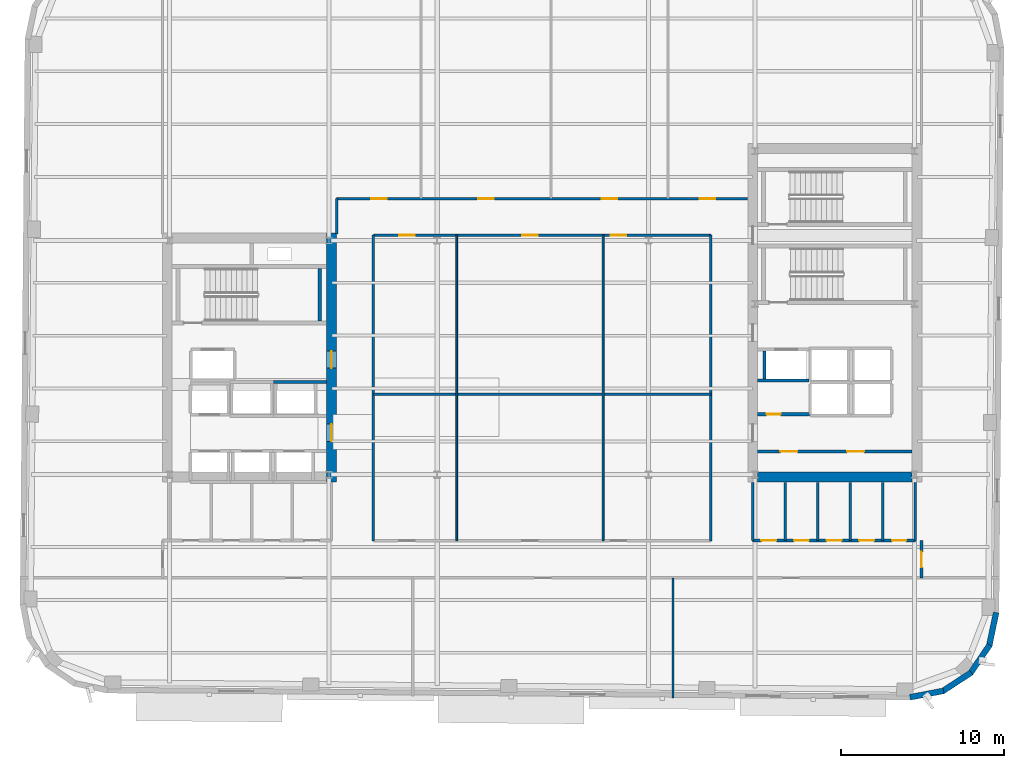
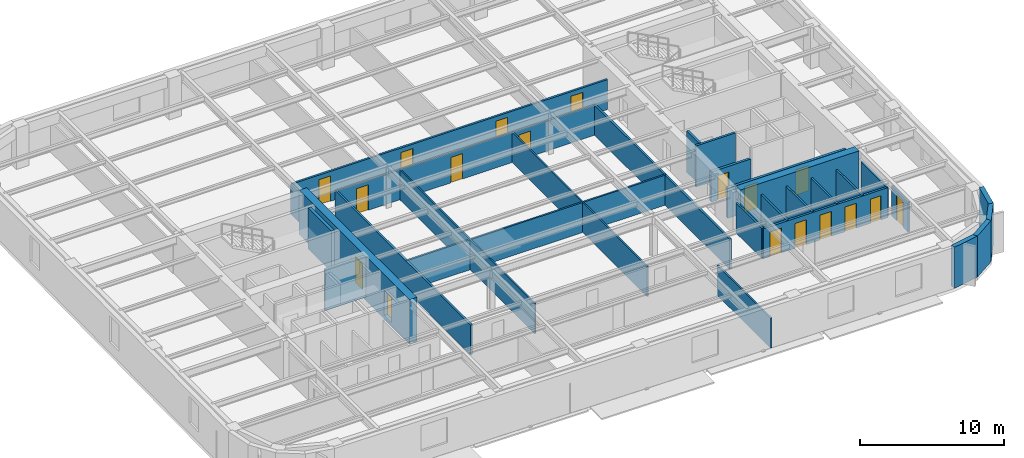
# One storey, part 5 of 12: 29 walls, 18 doors, 18 openings.
"""IFC4 building model written with IfcOpenShell, lengths in metres."""

from ifc_helpers import new_model, si_unit, direction, frame, frame_2d, origin, place, context, subcontext, project, spatial, rectangle, extrude, material, layer, layer_set, type_object, element, fill, save


model = new_model("IFC4")

# Units and contexts
model_context = context("Model", 3, precision=1e-05, world=origin(), true_north=direction((0.0, 1.0)))
body_context = subcontext(model_context, "Body", "Model", "MODEL_VIEW")
ifc_project = project(units=[si_unit("LENGTHUNIT", "METRE"), si_unit("AREAUNIT", "SQUARE_METRE"), si_unit("VOLUMEUNIT", "CUBIC_METRE"), si_unit("PLANEANGLEUNIT", "RADIAN"), si_unit("MASSUNIT", "GRAM", prefix="KILO")], contexts=[model_context])

# Site, building, storey
site_placement = place(None, origin())
site = spatial("IfcSite", under=ifc_project, at=site_placement, CompositionType="ELEMENT")
building_placement = place(site_placement, origin())
building = spatial("IfcBuilding", under=site, at=building_placement, Name="Kolvaren Arena Tower", CompositionType="ELEMENT")
storey_placement = place(building_placement, frame((0.0, 0.0, 188.449951171875)))
storey = spatial("IfcBuildingStorey", under=building, at=storey_placement, Name="L45", CompositionType="ELEMENT", Elevation=188.449951171875)

# Wall
ifc_material_1 = material(Name="Gypsum board acoustic assembly", Category="gypsum")
ifc_layer_1 = layer(ifc_material_1, 0.159912109375)
ifc_layer_set_1 = layer_set([ifc_layer_1], Name="Gypsum board acoustic assembly")
wall_type_1 = type_object("IfcWallType", Name="CORR-160", PredefinedType="PARTITIONING", material=ifc_layer_set_1)
wall_1_placement = place(storey_placement, frame((24.820068359375, 34.25, 0.0), z_axis=(0.0, 0.0, 1.0), x_axis=(0.0, 1.0, 0.0)))
element("IfcWall", 1, at=wall_1_placement, inside=storey, type_object=wall_type_1, Name="Interior Partition Wall (L45)", PredefinedType="PARTITIONING", context=body_context, shape_type="SweptSolid", body=[
    extrude(rectangle(XDim=2.169921875, YDim=0.159912109375, at=frame_2d((1.0849609375, 0.0))), origin(), (0.0, 0.0, 1.0), 2.5400390625),
])

# Wall, openings, doors
wall_2_placement = place(storey_placement, frame((24.820068359375, 36.419921875, 0.0), z_axis=(0.0, 0.0, 1.0), x_axis=(1.0, 0.0, 0.0)))
wall_2 = element("IfcWall", 2, at=wall_2_placement, inside=storey, type_object=wall_type_1, Name="Interior Partition Wall (L45)", PredefinedType="PARTITIONING", context=body_context, shape_type="SweptSolid", body=[
    extrude(rectangle(XDim=25.260009765625, YDim=0.159912109375, at=frame_2d((12.6298828125, 0.0))), origin(), (0.0, 0.0, 1.0), 2.5400390625),
])
opening_1_placement = place(wall_2_placement, frame((2.1298828125, 0.0, 0.0)))
opening_1 = element("IfcOpeningElement", 3, at=opening_1_placement, cuts=wall_2, Name="Opening D05", PredefinedType="OPENING", context=body_context, shape_type="SweptSolid", body=[
    extrude(rectangle(XDim=0.949951171875, YDim=2.14990234375, at=frame_2d((0.47509765625, 1.074951171875))), frame((0.0, 0.08984375, 0.0), z_axis=(0.0, -1.0, 0.0), x_axis=(1.0, 0.0, 0.0)), (0.0, 0.0, 1.0), 0.179931640625),
])
opening_2_placement = place(wall_2_placement, frame((8.705078125, 0.0, 0.0)))
opening_2 = element("IfcOpeningElement", 4, at=opening_2_placement, cuts=wall_2, Name="Opening D05", PredefinedType="OPENING", context=body_context, shape_type="SweptSolid", body=[
    extrude(rectangle(XDim=0.949951171875, YDim=2.14990234375, at=frame_2d((0.47509765625, 1.074951171875))), frame((0.0, 0.08984375, 0.0), z_axis=(0.0, -1.0, 0.0), x_axis=(1.0, 0.0, 0.0)), (0.0, 0.0, 1.0), 0.179931640625),
])
opening_3_placement = place(wall_2_placement, frame((16.304931640625, 0.0, 0.0)))
opening_3 = element("IfcOpeningElement", 5, at=opening_3_placement, cuts=wall_2, Name="Opening D05", PredefinedType="OPENING", context=body_context, shape_type="SweptSolid", body=[
    extrude(rectangle(XDim=0.949951171875, YDim=2.14990234375, at=frame_2d((0.47509765625, 1.074951171875))), frame((0.0, 0.08984375, 0.0), z_axis=(0.0, -1.0, 0.0), x_axis=(1.0, 0.0, 0.0)), (0.0, 0.0, 1.0), 0.179931640625),
])
opening_4_placement = place(wall_2_placement, frame((22.330078125, 0.0, 0.0)))
opening_4 = element("IfcOpeningElement", 6, at=opening_4_placement, cuts=wall_2, Name="Opening D05", PredefinedType="OPENING", context=body_context, shape_type="SweptSolid", body=[
    extrude(rectangle(XDim=0.949951171875, YDim=2.14990234375, at=frame_2d((0.47509765625, 1.074951171875))), frame((0.0, 0.08984375, 0.0), z_axis=(0.0, -1.0, 0.0), x_axis=(1.0, 0.0, 0.0)), (0.0, 0.0, 1.0), 0.179931640625),
])
ifc_material_2 = material(Name="Solid-core oak acoustic office door", Category="wood")
door_type_1 = type_object("IfcDoorType", Name="DOOR-OF-095", OperationType="NOTDEFINED", PredefinedType="DOOR", material=ifc_material_2)
door_1_placement = place(opening_1_placement, origin())
door_1 = element("IfcDoor", 7, at=door_1_placement, inside=storey, type_object=door_type_1, Name="Tenant Reception Area Door (L45)", OperationType="SINGLE_SWING_RIGHT", OverallHeight=2.14990234375, OverallWidth=0.949951171875, PredefinedType="DOOR", context=body_context, shape_type="SweptSolid", body=[
    extrude(rectangle(XDim=0.949951171875, YDim=2.14990234375, at=frame_2d((0.47509765625, 1.074951171875))), frame((0.0, 0.02490234375, 0.0), z_axis=(0.0, -1.0, 0.0), x_axis=(1.0, 0.0, 0.0)), (0.0, 0.0, 1.0), 0.050048828125),
])
fill(opening_1, door_1)
door_2_placement = place(opening_2_placement, origin())
door_2 = element("IfcDoor", 8, at=door_2_placement, inside=storey, type_object=door_type_1, Name="Corporate Project Office Door (L45)", OperationType="SINGLE_SWING_LEFT", OverallHeight=2.14990234375, OverallWidth=0.949951171875, PredefinedType="DOOR", context=body_context, shape_type="SweptSolid", body=[
    extrude(rectangle(XDim=0.949951171875, YDim=2.14990234375, at=frame_2d((0.47509765625, 1.074951171875))), frame((0.0, 0.02490234375, 0.0), z_axis=(0.0, -1.0, 0.0), x_axis=(1.0, 0.0, 0.0)), (0.0, 0.0, 1.0), 0.050048828125),
])
fill(opening_2, door_2)
door_3_placement = place(opening_3_placement, origin())
door_3 = element("IfcDoor", 9, at=door_3_placement, inside=storey, type_object=door_type_1, Name="Breakout Pantry and Kitchen Door (L45)", OperationType="SINGLE_SWING_RIGHT", OverallHeight=2.14990234375, OverallWidth=0.949951171875, PredefinedType="DOOR", context=body_context, shape_type="SweptSolid", body=[
    extrude(rectangle(XDim=0.949951171875, YDim=2.14990234375, at=frame_2d((0.47509765625, 1.074951171875))), frame((0.0, 0.02490234375, 0.0), z_axis=(0.0, -1.0, 0.0), x_axis=(1.0, 0.0, 0.0)), (0.0, 0.0, 1.0), 0.050048828125),
])
fill(opening_3, door_3)
door_4_placement = place(opening_4_placement, origin())
door_4 = element("IfcDoor", 10, at=door_4_placement, inside=storey, type_object=door_type_1, Name="Meeting Room Door (L45)", OperationType="SINGLE_SWING_LEFT", OverallHeight=2.14990234375, OverallWidth=0.949951171875, PredefinedType="DOOR", context=body_context, shape_type="SweptSolid", body=[
    extrude(rectangle(XDim=0.949951171875, YDim=2.14990234375, at=frame_2d((0.47509765625, 1.074951171875))), frame((0.0, 0.02490234375, 0.0), z_axis=(0.0, -1.0, 0.0), x_axis=(1.0, 0.0, 0.0)), (0.0, 0.0, 1.0), 0.050048828125),
])
fill(opening_4, door_4)

wall_3_placement = place(storey_placement, frame((27.080078125, 34.179931640625, 0.0), z_axis=(0.0, 0.0, 1.0), x_axis=(1.0, 0.0, 0.0)))
wall_3 = element("IfcWall", 11, at=wall_3_placement, inside=storey, type_object=wall_type_1, Name="Interior Partition Wall (L45)", PredefinedType="PARTITIONING", context=body_context, shape_type="SweptSolid", body=[
    extrude(rectangle(XDim=20.739990234375, YDim=0.159912109375, at=frame_2d((10.3701171875, 0.0))), origin(), (0.0, 0.0, 1.0), 2.5400390625),
])
opening_5_placement = place(wall_3_placement, frame((1.594970703125, 0.0, 0.0)))
opening_5 = element("IfcOpeningElement", 12, at=opening_5_placement, cuts=wall_3, Name="Opening D05", PredefinedType="OPENING", context=body_context, shape_type="SweptSolid", body=[
    extrude(rectangle(XDim=0.949951171875, YDim=2.14990234375, at=frame_2d((0.47509765625, 1.074951171875))), frame((0.0, 0.08984375, 0.0), z_axis=(0.0, -1.0, 0.0), x_axis=(1.0, 0.0, 0.0)), (0.0, 0.0, 1.0), 0.179931640625),
])
opening_6_placement = place(wall_3_placement, frame((9.14501953125, 0.0, 0.0)))
opening_6 = element("IfcOpeningElement", 13, at=opening_6_placement, cuts=wall_3, Name="Opening D05", PredefinedType="OPENING", context=body_context, shape_type="SweptSolid", body=[
    extrude(rectangle(XDim=0.949951171875, YDim=2.14990234375, at=frame_2d((0.47509765625, 1.074951171875))), frame((0.0, 0.08984375, 0.0), z_axis=(0.0, -1.0, 0.0), x_axis=(1.0, 0.0, 0.0)), (0.0, 0.0, 1.0), 0.179931640625),
])
opening_7_placement = place(wall_3_placement, frame((14.594970703125, 0.0, 0.0)))
opening_7 = element("IfcOpeningElement", 14, at=opening_7_placement, cuts=wall_3, Name="Opening D05", PredefinedType="OPENING", context=body_context, shape_type="SweptSolid", body=[
    extrude(rectangle(XDim=0.949951171875, YDim=2.14990234375, at=frame_2d((0.47509765625, 1.074951171875))), frame((0.0, 0.08984375, 0.0), z_axis=(0.0, -1.0, 0.0), x_axis=(1.0, 0.0, 0.0)), (0.0, 0.0, 1.0), 0.179931640625),
])
door_5_placement = place(opening_5_placement, origin())
door_5 = element("IfcDoor", 15, at=door_5_placement, inside=storey, type_object=door_type_1, Name="Meeting Room Door (L45)", OperationType="SINGLE_SWING_RIGHT", OverallHeight=2.14990234375, OverallWidth=0.949951171875, PredefinedType="DOOR", context=body_context, shape_type="SweptSolid", body=[
    extrude(rectangle(XDim=0.949951171875, YDim=2.14990234375, at=frame_2d((0.47509765625, 1.074951171875))), frame((0.0, 0.02490234375, 0.0), z_axis=(0.0, -1.0, 0.0), x_axis=(1.0, 0.0, 0.0)), (0.0, 0.0, 1.0), 0.050048828125),
])
fill(opening_5, door_5)
door_6_placement = place(opening_6_placement, origin())
door_6 = element("IfcDoor", 16, at=door_6_placement, inside=storey, type_object=door_type_1, Name="Tenant Reception Area Door (L45)", OperationType="SINGLE_SWING_RIGHT", OverallHeight=2.14990234375, OverallWidth=0.949951171875, PredefinedType="DOOR", context=body_context, shape_type="SweptSolid", body=[
    extrude(rectangle(XDim=0.949951171875, YDim=2.14990234375, at=frame_2d((0.47509765625, 1.074951171875))), frame((0.0, 0.02490234375, 0.0), z_axis=(0.0, -1.0, 0.0), x_axis=(1.0, 0.0, 0.0)), (0.0, 0.0, 1.0), 0.050048828125),
])
fill(opening_6, door_6)
door_7_placement = place(opening_7_placement, origin())
door_7 = element("IfcDoor", 17, at=door_7_placement, inside=storey, type_object=door_type_1, Name="Breakout Pantry and Kitchen Door (L45)", OperationType="SINGLE_SWING_RIGHT", OverallHeight=2.14990234375, OverallWidth=0.949951171875, PredefinedType="DOOR", context=body_context, shape_type="SweptSolid", body=[
    extrude(rectangle(XDim=0.949951171875, YDim=2.14990234375, at=frame_2d((0.47509765625, 1.074951171875))), frame((0.0, 0.02490234375, 0.0), z_axis=(0.0, -1.0, 0.0), x_axis=(1.0, 0.0, 0.0)), (0.0, 0.0, 1.0), 0.050048828125),
])
fill(opening_7, door_7)

# Walls
for number, where, z_axis, x_axis, name in (
    (18, (27.080078125, 15.3798828125, 0.0), (0.0, 0.0, 1.0), (0.0, 1.0, 0.0), "Interior Partition Wall (L45)"),
    (19, (47.820068359375, 15.3798828125, 0.0), (0.0, 0.0, 1.0), (0.0, 1.0, 0.0), "Interior Partition Wall (L45)"),
):
    element("IfcWall", number, at=place(storey_placement, frame(where, z_axis=z_axis, x_axis=x_axis)), inside=storey, type_object=wall_type_1, Name=name, PredefinedType="PARTITIONING", context=body_context, shape_type="SweptSolid", body=[
        extrude(rectangle(XDim=18.800048828125, YDim=0.159912109375, at=frame_2d((9.39990234375, 0.0))), origin(), (0.0, 0.0, 1.0), 2.5400390625),
    ])

# Wall, opening, door
wall_4_placement = place(storey_placement, frame((60.780029296875, 13.10009765625, 0.0), z_axis=(0.0, 0.0, 1.0), x_axis=(0.0, 1.0, 0.0)))
wall_4 = element("IfcWall", 20, at=wall_4_placement, inside=storey, type_object=wall_type_1, Name="Interior Partition Wall (L45)", PredefinedType="PARTITIONING", context=body_context, shape_type="SweptSolid", body=[
    extrude(rectangle(XDim=2.2998046875, YDim=0.159912109375, at=frame_2d((1.14990234375, 0.0))), origin(), (0.0, 0.0, 1.0), 2.5400390625),
])
opening_8_placement = place(wall_4_placement, frame((0.64990234375, 0.0, 0.0)))
opening_8 = element("IfcOpeningElement", 21, at=opening_8_placement, cuts=wall_4, Name="Opening D05", PredefinedType="OPENING", context=body_context, shape_type="SweptSolid", body=[
    extrude(rectangle(XDim=0.949951171875, YDim=2.14990234375, at=frame_2d((0.47509765625, 1.074951171875))), frame((0.0, 0.08984375, 0.0), z_axis=(0.0, -1.0, 0.0), x_axis=(1.0, 0.0, 0.0)), (0.0, 0.0, 1.0), 0.179931640625),
])
door_8_placement = place(opening_8_placement, origin())
door_8 = element("IfcDoor", 22, at=door_8_placement, inside=storey, type_object=door_type_1, Name="East Wing Studio Door (L45)", OperationType="SINGLE_SWING_RIGHT", OverallHeight=2.14990234375, OverallWidth=0.949951171875, PredefinedType="DOOR", context=body_context, shape_type="SweptSolid", body=[
    extrude(rectangle(XDim=0.949951171875, YDim=2.14990234375, at=frame_2d((0.47509765625, 1.074951171875))), frame((0.0, 0.02490234375, 0.0), z_axis=(0.0, -1.0, 0.0), x_axis=(1.0, 0.0, 0.0)), (0.0, 0.0, 1.0), 0.050048828125),
])
fill(opening_8, door_8)

# Wall, openings, doors
ifc_material_3 = material(Name="Concrete 60 MPa", Category="concrete")
ifc_layer_2 = layer(ifc_material_3, 0.60009765625)
ifc_layer_set_2 = layer_set([ifc_layer_2], Name="Concrete 60 MPa")
wall_type_2 = type_object("IfcWallType", Name="CWALL-600", PredefinedType="SHEAR", material=ifc_layer_set_2)
wall_5_placement = place(storey_placement, frame((24.5, 19.0, -0.27001953125), z_axis=(0.0, 0.0, 1.0), x_axis=(0.0, 1.0, 0.0)))
wall_5 = element("IfcWall", 23, at=wall_5_placement, inside=storey, type_object=wall_type_2, Name="Core Shear Wall WC-EAST (L45)", PredefinedType="SHEAR", context=body_context, shape_type="SweptSolid", body=[
    extrude(rectangle(XDim=15.300048828125, YDim=0.60009765625, at=frame_2d((7.64990234375, 0.0))), origin(), (0.0, 0.0, 1.0), 3.75),
])
opening_9_placement = place(wall_5_placement, frame((2.5, 0.0, 0.27001953125)))
opening_9 = element("IfcOpeningElement", 24, at=opening_9_placement, cuts=wall_5, Name="Opening D04", PredefinedType="OPENING", context=body_context, shape_type="SweptSolid", body=[
    extrude(rectangle(XDim=1.050048828125, YDim=2.14990234375, at=frame_2d((0.52490234375, 1.074951171875))), frame((0.0, 0.31005859375, 0.0), z_axis=(0.0, -1.0, 0.0), x_axis=(1.0, 0.0, 0.0)), (0.0, 0.0, 1.0), 0.6201171875),
])
opening_10_placement = place(wall_5_placement, frame((7.0, 0.0, 0.27001953125)))
opening_10 = element("IfcOpeningElement", 25, at=opening_10_placement, cuts=wall_5, Name="Opening D04", PredefinedType="OPENING", context=body_context, shape_type="SweptSolid", body=[
    extrude(rectangle(XDim=1.050048828125, YDim=2.14990234375, at=frame_2d((0.52490234375, 1.074951171875))), frame((0.0, 0.31005859375, 0.0), z_axis=(0.0, -1.0, 0.0), x_axis=(1.0, 0.0, 0.0)), (0.0, 0.0, 1.0), 0.6201171875),
])
ifc_material_4 = material(Name="Fire-rated steel lobby door", Category="steel")
door_type_2 = type_object("IfcDoorType", Name="DOOR-FF-105", OperationType="NOTDEFINED", PredefinedType="DOOR", material=ifc_material_4)
door_9_placement = place(opening_9_placement, origin())
door_9 = element("IfcDoor", 26, at=door_9_placement, inside=storey, type_object=door_type_2, Name="West Lift Lobby Fire Door (L45)", OperationType="SINGLE_SWING_LEFT", OverallHeight=2.14990234375, OverallWidth=1.050048828125, PredefinedType="DOOR", context=body_context, shape_type="SweptSolid", body=[
    extrude(rectangle(XDim=1.050048828125, YDim=2.14990234375, at=frame_2d((0.52490234375, 1.074951171875))), frame((0.0, 0.02490234375, 0.0), z_axis=(0.0, -1.0, 0.0), x_axis=(1.0, 0.0, 0.0)), (0.0, 0.0, 1.0), 0.050048828125),
])
fill(opening_9, door_9)
door_10_placement = place(opening_10_placement, origin())
door_10 = element("IfcDoor", 27, at=door_10_placement, inside=storey, type_object=door_type_2, Name="West Firefighter Vestibule Door (L45)", OperationType="SINGLE_SWING_RIGHT", OverallHeight=2.14990234375, OverallWidth=1.050048828125, PredefinedType="DOOR", context=body_context, shape_type="SweptSolid", body=[
    extrude(rectangle(XDim=1.050048828125, YDim=2.14990234375, at=frame_2d((0.52490234375, 1.074951171875))), frame((0.0, 0.02490234375, 0.0), z_axis=(0.0, -1.0, 0.0), x_axis=(1.0, 0.0, 0.0)), (0.0, 0.0, 1.0), 0.050048828125),
])
fill(opening_10, door_10)

# Walls
wall_6_placement = place(storey_placement, frame((50.699951171875, 19.300048828125, -0.27001953125), z_axis=(0.0, 0.0, 1.0), x_axis=(1.0, 0.0, 0.0)))
element("IfcWall", 28, at=wall_6_placement, inside=storey, type_object=wall_type_2, Name="Core Shear Wall EC-SOUTH (L45)", PredefinedType="SHEAR", context=body_context, shape_type="SweptSolid", body=[
    extrude(rectangle(XDim=9.5, YDim=0.60009765625, at=frame_2d((4.75, 0.0))), origin(), (0.0, 0.0, 1.0), 3.75),
])
ifc_material_5 = material(Name="Precast concrete C50/60", Category="concrete")
ifc_layer_3 = layer(ifc_material_5, 0.360107421875)
ifc_layer_set_3 = layer_set([ifc_layer_3], Name="Precast concrete C50/60")
wall_type_3 = type_object("IfcWallType", Name="EXT-PIER2", PredefinedType="SOLIDWALL", material=ifc_layer_set_3)
wall_7_placement = place(storey_placement, frame((62.136474609375, 6.155029296875, 0.0), z_axis=(0.0, 0.0, 1.0), x_axis=(-0.98246713518, -0.186435855703, 0.0)))
element("IfcWall", 29, at=wall_7_placement, inside=storey, type_object=wall_type_3, Name="Exterior Precast Masonry-Frame Wall (L45)", PredefinedType="SOLIDWALL", context=body_context, shape_type="SweptSolid", body=[
    extrude(rectangle(XDim=2.10693359375, YDim=0.360107421875, at=frame_2d((1.053466796875, 0.0))), origin(), (0.0, 0.0, 1.0), 3.47998046875),
])
wall_8_placement = place(storey_placement, frame((63.83349609375, 7.2841796875, 0.0), z_axis=(0.0, 0.0, 1.0), x_axis=(-0.836303589916, -0.548266637224, 0.0)))
element("IfcWall", 30, at=wall_8_placement, inside=storey, type_object=wall_type_3, Name="Exterior Precast Masonry-Frame Wall (L45)", PredefinedType="SOLIDWALL", context=body_context, shape_type="SweptSolid", body=[
    extrude(rectangle(XDim=2.107177734375, YDim=0.360107421875, at=frame_2d((1.0537109375, 0.0))), origin(), (0.0, 0.0, 1.0), 3.47998046875),
])
for number, where, z_axis, x_axis, name in (
    (31, (64.968994140625, 8.9765625, 0.0), (0.0, 0.0, 1.0), (-0.56277581689, -0.826609569219, 0.0), "Exterior Precast Masonry-Frame Wall (L45)"),
    (32, (65.370849609375, 10.974609375, 0.0), (0.0, 0.0, 1.0), (-0.203709000552, -0.979031482177, 0.0), "Exterior Precast Masonry-Frame Wall (L45)"),
):
    element("IfcWall", number, at=place(storey_placement, frame(where, z_axis=z_axis, x_axis=x_axis)), inside=storey, type_object=wall_type_3, Name=name, PredefinedType="SOLIDWALL", context=body_context, shape_type="SweptSolid", body=[
        extrude(rectangle(XDim=2.10693359375, YDim=0.360107421875, at=frame_2d((1.053466796875, 0.0))), origin(), (0.0, 0.0, 1.0), 3.47998046875),
    ])

# Wall, openings, doors
ifc_material_6 = material(Name="Concrete 40 MPa", Category="concrete")
ifc_layer_4 = layer(ifc_material_6, 0.199951171875)
ifc_layer_set_4 = layer_set([ifc_layer_4], Name="Concrete 40 MPa")
wall_type_4 = type_object("IfcWallType", Name="LOBBY-200", PredefinedType="SOLIDWALL", material=ifc_layer_set_4)
wall_9_placement = place(storey_placement, frame((50.699951171875, 20.8798828125, 0.0), z_axis=(0.0, 0.0, 1.0), x_axis=(1.0, 0.0, 0.0)))
wall_9 = element("IfcWall", 33, at=wall_9_placement, inside=storey, type_object=wall_type_4, Name="Core Shaft Wall (L45)", PredefinedType="SOLIDWALL", context=body_context, shape_type="SweptSolid", body=[
    extrude(rectangle(XDim=9.5, YDim=0.199951171875, at=frame_2d((4.75, 0.0))), origin(), (0.0, 0.0, 1.0), 2.5400390625),
])
opening_11_placement = place(wall_9_placement, frame((1.39990234375, 0.0, 0.0)))
opening_11 = element("IfcOpeningElement", 34, at=opening_11_placement, cuts=wall_9, Name="Opening D04", PredefinedType="OPENING", context=body_context, shape_type="SweptSolid", body=[
    extrude(rectangle(XDim=1.050048828125, YDim=2.14990234375, at=frame_2d((0.52490234375, 1.074951171875))), frame((0.0, 0.10986328125, 0.0), z_axis=(0.0, -1.0, 0.0), x_axis=(1.0, 0.0, 0.0)), (0.0, 0.0, 1.0), 0.219970703125),
])
opening_12_placement = place(wall_9_placement, frame((5.5, 0.0, 0.0)))
opening_12 = element("IfcOpeningElement", 35, at=opening_12_placement, cuts=wall_9, Name="Opening D04", PredefinedType="OPENING", context=body_context, shape_type="SweptSolid", body=[
    extrude(rectangle(XDim=1.050048828125, YDim=2.14990234375, at=frame_2d((0.52490234375, 1.074951171875))), frame((0.0, 0.10986328125, 0.0), z_axis=(0.0, -1.0, 0.0), x_axis=(1.0, 0.0, 0.0)), (0.0, 0.0, 1.0), 0.219970703125),
])
door_11_placement = place(opening_11_placement, origin())
door_11 = element("IfcDoor", 36, at=door_11_placement, inside=storey, type_object=door_type_2, Name="East Telecom Room Fire Door (L45)", OperationType="SINGLE_SWING_RIGHT", OverallHeight=2.14990234375, OverallWidth=1.050048828125, PredefinedType="DOOR", context=body_context, shape_type="SweptSolid", body=[
    extrude(rectangle(XDim=1.050048828125, YDim=2.14990234375, at=frame_2d((0.52490234375, 1.074951171875))), frame((0.0, 0.02490234375, 0.0), z_axis=(0.0, -1.0, 0.0), x_axis=(1.0, 0.0, 0.0)), (0.0, 0.0, 1.0), 0.050048828125),
])
fill(opening_11, door_11)
door_12_placement = place(opening_12_placement, origin())
door_12 = element("IfcDoor", 37, at=door_12_placement, inside=storey, type_object=door_type_2, Name="East Records Room Fire Door (L45)", OperationType="SINGLE_SWING_LEFT", OverallHeight=2.14990234375, OverallWidth=1.050048828125, PredefinedType="DOOR", context=body_context, shape_type="SweptSolid", body=[
    extrude(rectangle(XDim=1.050048828125, YDim=2.14990234375, at=frame_2d((0.52490234375, 1.074951171875))), frame((0.0, 0.02490234375, 0.0), z_axis=(0.0, -1.0, 0.0), x_axis=(1.0, 0.0, 0.0)), (0.0, 0.0, 1.0), 0.050048828125),
])
fill(opening_12, door_12)

# Wall, opening, door
wall_10_placement = place(storey_placement, frame((50.699951171875, 23.159912109375, 0.0), z_axis=(0.0, 0.0, 1.0), x_axis=(1.0, 0.0, 0.0)))
wall_10 = element("IfcWall", 38, at=wall_10_placement, inside=storey, type_object=wall_type_4, Name="Core Shaft Wall (L45)", PredefinedType="SOLIDWALL", context=body_context, shape_type="SweptSolid", body=[
    extrude(rectangle(XDim=3.179931640625, YDim=0.199951171875, at=frame_2d((1.58984375, 0.0))), origin(), (0.0, 0.0, 1.0), 2.5400390625),
])
opening_13_placement = place(wall_10_placement, frame((0.550048828125, 0.0, 0.0)))
opening_13 = element("IfcOpeningElement", 39, at=opening_13_placement, cuts=wall_10, Name="Opening D09", PredefinedType="OPENING", context=body_context, shape_type="SweptSolid", body=[
    extrude(rectangle(XDim=0.860107421875, YDim=2.050048828125, at=frame_2d((0.43017578125, 1.02490234375))), frame((0.0, 0.10986328125, 0.0), z_axis=(0.0, -1.0, 0.0), x_axis=(1.0, 0.0, 0.0)), (0.0, 0.0, 1.0), 0.219970703125),
])
ifc_material_7 = material(Name="Fire-rated steel riser access door", Category="steel")
door_type_3 = type_object("IfcDoorType", Name="DOOR-RS-086", OperationType="NOTDEFINED", PredefinedType="DOOR", material=ifc_material_7)
door_13_placement = place(opening_13_placement, origin())
door_13 = element("IfcDoor", 40, at=door_13_placement, inside=storey, type_object=door_type_3, Name="East AV Riser Closet Door (L45)", OperationType="SINGLE_SWING_LEFT", OverallHeight=2.050048828125, OverallWidth=0.860107421875, PredefinedType="DOOR", context=body_context, shape_type="SweptSolid", body=[
    extrude(rectangle(XDim=0.860107421875, YDim=2.050048828125, at=frame_2d((0.43017578125, 1.02490234375))), frame((0.0, 0.02490234375, 0.0), z_axis=(0.0, -1.0, 0.0), x_axis=(1.0, 0.0, 0.0)), (0.0, 0.0, 1.0), 0.050048828125),
])
fill(opening_13, door_13)

# Walls
ifc_material_8 = material(Name="Gypsum board partition assembly", Category="gypsum")
ifc_layer_5 = layer(ifc_material_8, 0.114990234375)
ifc_layer_set_5 = layer_set([ifc_layer_5], Name="Gypsum board partition assembly")
wall_type_5 = type_object("IfcWallType", Name="PART-115", PredefinedType="PARTITIONING", material=ifc_layer_set_5)
for number, where, z_axis, x_axis, name in (
    (41, (32.199951171875, 15.3798828125, 0.0), (0.0, 0.0, 1.0), (0.0, 1.0, 0.0), "Interior Partition Wall (L45)"),
    (42, (41.199951171875, 15.3798828125, 0.0), (0.0, 0.0, 1.0), (0.0, 1.0, 0.0), "Interior Partition Wall (L45)"),
):
    element("IfcWall", number, at=place(storey_placement, frame(where, z_axis=z_axis, x_axis=x_axis)), inside=storey, type_object=wall_type_5, Name=name, PredefinedType="PARTITIONING", context=body_context, shape_type="SweptSolid", body=[
        extrude(rectangle(XDim=18.800048828125, YDim=0.114990234375, at=frame_2d((9.39990234375, 0.0))), origin(), (0.0, 0.0, 1.0), 2.5400390625),
    ])
ifc_layer_6 = layer(ifc_material_8, 0.135009765625)
ifc_layer_set_6 = layer_set([ifc_layer_6], Name="Gypsum board partition assembly")
wall_type_6 = type_object("IfcWallType", Name="PART-135", PredefinedType="PARTITIONING", material=ifc_layer_set_6)
wall_11_placement = place(storey_placement, frame((45.5, 5.712646484375, 0.0), z_axis=(0.0, 0.0, 1.0), x_axis=(0.0, 1.0, 0.0)))
element("IfcWall", 43, at=wall_11_placement, inside=storey, type_object=wall_type_6, Name="Interior Partition Wall (L45)", PredefinedType="PARTITIONING", context=body_context, shape_type="SweptSolid", body=[
    extrude(rectangle(XDim=7.387451171875, YDim=0.135009765625, at=frame_2d((3.69384765625, 0.0))), origin(), (0.0, 0.0, 1.0), 2.5400390625),
])
wall_12_placement = place(storey_placement, frame((27.080078125, 24.39990234375, 0.0), z_axis=(0.0, 0.0, 1.0), x_axis=(1.0, 0.0, 0.0)))
element("IfcWall", 44, at=wall_12_placement, inside=storey, type_object=wall_type_6, Name="Interior Partition Wall (L45)", PredefinedType="PARTITIONING", context=body_context, shape_type="SweptSolid", body=[
    extrude(rectangle(XDim=20.739990234375, YDim=0.135009765625, at=frame_2d((10.3701171875, 0.0))), origin(), (0.0, 0.0, 1.0), 2.5400390625),
])
ifc_material_9 = material(Name="Concrete 45 MPa", Category="concrete")
ifc_layer_7 = layer(ifc_material_9, 0.25)
ifc_layer_set_7 = layer_set([ifc_layer_7], Name="Concrete 45 MPa")
wall_type_7 = type_object("IfcWallType", Name="SHAFT-250", PredefinedType="SOLIDWALL", material=ifc_layer_set_7)
wall_13_placement = place(storey_placement, frame((23.780029296875, 28.89990234375, 0.0), z_axis=(0.0, 0.0, 1.0), x_axis=(0.0, 1.0, 0.0)))
element("IfcWall", 45, at=wall_13_placement, inside=storey, type_object=wall_type_7, Name="Core Shaft Wall (L45)", PredefinedType="SOLIDWALL", context=body_context, shape_type="SweptSolid", body=[
    extrude(rectangle(XDim=3.22998046875, YDim=0.239990234375, at=frame_2d((1.614990234375, 0.0))), origin(), (0.0, 0.0, 1.0), 3.47998046875),
])
wall_14_placement = place(storey_placement, frame((50.699951171875, 25.2451171875, 0.0), z_axis=(0.0, 0.0, 1.0), x_axis=(1.0, 0.0, 0.0)))
element("IfcWall", 46, at=wall_14_placement, inside=storey, type_object=wall_type_7, Name="Core Shaft Wall (L45)", PredefinedType="SOLIDWALL", context=body_context, shape_type="SweptSolid", body=[
    extrude(rectangle(XDim=3.1650390625, YDim=0.179931640625, at=frame_2d((1.58251953125, 0.0))), origin(), (0.0, 0.0, 1.0), 3.47998046875),
])
wall_15_placement = place(storey_placement, frame((51.1298828125, 25.3349609375, 0.0), z_axis=(0.0, 0.0, 1.0), x_axis=(0.0, 1.0, 0.0)))
element("IfcWall", 47, at=wall_15_placement, inside=storey, type_object=wall_type_7, Name="Core Shaft Wall (L45)", PredefinedType="SOLIDWALL", context=body_context, shape_type="SweptSolid", body=[
    extrude(rectangle(XDim=1.72998046875, YDim=0.179931640625, at=frame_2d((0.864990234375, 0.0))), origin(), (0.0, 0.0, 1.0), 3.47998046875),
])
wall_16_placement = place(storey_placement, frame((20.949951171875, 25.155029296875, 0.0), z_axis=(0.0, 0.0, 1.0), x_axis=(1.0, 0.0, 0.0)))
element("IfcWall", 48, at=wall_16_placement, inside=storey, type_object=wall_type_7, Name="Core Shaft Wall (L45)", PredefinedType="SOLIDWALL", context=body_context, shape_type="SweptSolid", body=[
    extrude(rectangle(XDim=3.25, YDim=0.179931640625, at=frame_2d((1.625, 0.0))), origin(), (0.0, 0.0, 1.0), 3.47998046875),
])

# Wall, openings, doors
wall_17_placement = place(storey_placement, frame((50.39990234375, 15.39990234375, 0.0), z_axis=(0.0, 0.0, 1.0), x_axis=(1.0, 0.0, 0.0)))
wall_17 = element("IfcWall", 49, at=wall_17_placement, inside=storey, type_object=wall_type_7, Name="Interior Partition Wall (L45)", PredefinedType="SOLIDWALL", context=body_context, shape_type="SweptSolid", body=[
    extrude(rectangle(XDim=10.0, YDim=0.179931640625, at=frame_2d((5.0, 0.0))), origin(), (0.0, 0.0, 1.0), 2.5400390625),
])
opening_14_placement = place(wall_17_placement, frame((0.5400390625, 0.0, 0.0)))
opening_14 = element("IfcOpeningElement", 50, at=opening_14_placement, cuts=wall_17, Name="Opening D07", PredefinedType="OPENING", context=body_context, shape_type="SweptSolid", body=[
    extrude(rectangle(XDim=0.919921875, YDim=2.10009765625, at=frame_2d((0.4599609375, 1.050048828125))), frame((0.0, 0.099853515625, 0.0), z_axis=(0.0, -1.0, 0.0), x_axis=(1.0, 0.0, 0.0)), (0.0, 0.0, 1.0), 0.199951171875),
])
opening_15_placement = place(wall_17_placement, frame((2.5400390625, 0.0, 0.0)))
opening_15 = element("IfcOpeningElement", 51, at=opening_15_placement, cuts=wall_17, Name="Opening D07", PredefinedType="OPENING", context=body_context, shape_type="SweptSolid", body=[
    extrude(rectangle(XDim=0.919921875, YDim=2.10009765625, at=frame_2d((0.4599609375, 1.050048828125))), frame((0.0, 0.099853515625, 0.0), z_axis=(0.0, -1.0, 0.0), x_axis=(1.0, 0.0, 0.0)), (0.0, 0.0, 1.0), 0.199951171875),
])
opening_16_placement = place(wall_17_placement, frame((4.5400390625, 0.0, 0.0)))
opening_16 = element("IfcOpeningElement", 52, at=opening_16_placement, cuts=wall_17, Name="Opening D07", PredefinedType="OPENING", context=body_context, shape_type="SweptSolid", body=[
    extrude(rectangle(XDim=0.919921875, YDim=2.10009765625, at=frame_2d((0.4599609375, 1.050048828125))), frame((0.0, 0.099853515625, 0.0), z_axis=(0.0, -1.0, 0.0), x_axis=(1.0, 0.0, 0.0)), (0.0, 0.0, 1.0), 0.199951171875),
])
opening_17_placement = place(wall_17_placement, frame((6.5400390625, 0.0, 0.0)))
opening_17 = element("IfcOpeningElement", 53, at=opening_17_placement, cuts=wall_17, Name="Opening D07", PredefinedType="OPENING", context=body_context, shape_type="SweptSolid", body=[
    extrude(rectangle(XDim=0.919921875, YDim=2.10009765625, at=frame_2d((0.4599609375, 1.050048828125))), frame((0.0, 0.099853515625, 0.0), z_axis=(0.0, -1.0, 0.0), x_axis=(1.0, 0.0, 0.0)), (0.0, 0.0, 1.0), 0.199951171875),
])
opening_18_placement = place(wall_17_placement, frame((8.570068359375, 0.0, 0.0)))
opening_18 = element("IfcOpeningElement", 54, at=opening_18_placement, cuts=wall_17, Name="Opening D09", PredefinedType="OPENING", context=body_context, shape_type="SweptSolid", body=[
    extrude(rectangle(XDim=0.860107421875, YDim=2.050048828125, at=frame_2d((0.43017578125, 1.02490234375))), frame((0.0, 0.099853515625, 0.0), z_axis=(0.0, -1.0, 0.0), x_axis=(1.0, 0.0, 0.0)), (0.0, 0.0, 1.0), 0.199951171875),
])
door_14_placement = place(opening_18_placement, origin())
door_14 = element("IfcDoor", 55, at=door_14_placement, inside=storey, type_object=door_type_3, Name="Telecom Riser Closet Door (L45)", OperationType="SINGLE_SWING_LEFT", OverallHeight=2.050048828125, OverallWidth=0.860107421875, PredefinedType="DOOR", context=body_context, shape_type="SweptSolid", body=[
    extrude(rectangle(XDim=0.860107421875, YDim=2.050048828125, at=frame_2d((0.43017578125, 1.02490234375))), frame((0.0, 0.02490234375, 0.0), z_axis=(0.0, -1.0, 0.0), x_axis=(1.0, 0.0, 0.0)), (0.0, 0.0, 1.0), 0.050048828125),
])
fill(opening_18, door_14)
ifc_material_10 = material(Name="Laminate universal washroom door", Category="wood")
door_type_4 = type_object("IfcDoorType", Name="DOOR-WC-092", OperationType="NOTDEFINED", PredefinedType="DOOR", material=ifc_material_10)
door_15_placement = place(opening_14_placement, origin())
door_15 = element("IfcDoor", 56, at=door_15_placement, inside=storey, type_object=door_type_4, Name="First Aid Store Door (L45)", OperationType="SINGLE_SWING_LEFT", OverallHeight=2.10009765625, OverallWidth=0.919921875, PredefinedType="DOOR", context=body_context, shape_type="SweptSolid", body=[
    extrude(rectangle(XDim=0.919921875, YDim=2.10009765625, at=frame_2d((0.4599609375, 1.050048828125))), frame((0.0, 0.02490234375, 0.0), z_axis=(0.0, -1.0, 0.0), x_axis=(1.0, 0.0, 0.0)), (0.0, 0.0, 1.0), 0.050048828125),
])
fill(opening_14, door_15)
door_16_placement = place(opening_15_placement, origin())
door_16 = element("IfcDoor", 57, at=door_16_placement, inside=storey, type_object=door_type_4, Name="Cleaner and Janitor Store Door (L45)", OperationType="SINGLE_SWING_RIGHT", OverallHeight=2.10009765625, OverallWidth=0.919921875, PredefinedType="DOOR", context=body_context, shape_type="SweptSolid", body=[
    extrude(rectangle(XDim=0.919921875, YDim=2.10009765625, at=frame_2d((0.4599609375, 1.050048828125))), frame((0.0, 0.02490234375, 0.0), z_axis=(0.0, -1.0, 0.0), x_axis=(1.0, 0.0, 0.0)), (0.0, 0.0, 1.0), 0.050048828125),
])
fill(opening_15, door_16)
door_17_placement = place(opening_16_placement, origin())
door_17 = element("IfcDoor", 58, at=door_17_placement, inside=storey, type_object=door_type_4, Name="Staff Pantry Door (L45)", OperationType="SINGLE_SWING_LEFT", OverallHeight=2.10009765625, OverallWidth=0.919921875, PredefinedType="DOOR", context=body_context, shape_type="SweptSolid", body=[
    extrude(rectangle(XDim=0.919921875, YDim=2.10009765625, at=frame_2d((0.4599609375, 1.050048828125))), frame((0.0, 0.02490234375, 0.0), z_axis=(0.0, -1.0, 0.0), x_axis=(1.0, 0.0, 0.0)), (0.0, 0.0, 1.0), 0.050048828125),
])
fill(opening_16, door_17)
door_18_placement = place(opening_17_placement, origin())
door_18 = element("IfcDoor", 59, at=door_18_placement, inside=storey, type_object=door_type_4, Name="Gender-Neutral Washroom Door (L45)", OperationType="SINGLE_SWING_RIGHT", OverallHeight=2.10009765625, OverallWidth=0.919921875, PredefinedType="DOOR", context=body_context, shape_type="SweptSolid", body=[
    extrude(rectangle(XDim=0.919921875, YDim=2.10009765625, at=frame_2d((0.4599609375, 1.050048828125))), frame((0.0, 0.02490234375, 0.0), z_axis=(0.0, -1.0, 0.0), x_axis=(1.0, 0.0, 0.0)), (0.0, 0.0, 1.0), 0.050048828125),
])
fill(opening_17, door_18)

# Walls
ifc_material_11 = material(Name="Moisture-resistant gypsum assembly", Category="gypsum")
ifc_layer_8 = layer(ifc_material_11, 0.14990234375)
ifc_layer_set_8 = layer_set([ifc_layer_8], Name="Moisture-resistant gypsum assembly")
wall_type_8 = type_object("IfcWallType", Name="WETW-150", PredefinedType="PARTITIONING", material=ifc_layer_set_8)
for number, where, z_axis, x_axis, name in (
    (60, (52.39990234375, 15.39990234375, 0.0), (0.0, 0.0, 1.0), (0.0, 1.0, 0.0), "Interior Partition Wall (L45)"),
    (61, (54.39990234375, 15.39990234375, 0.0), (0.0, 0.0, 1.0), (0.0, 1.0, 0.0), "Interior Partition Wall (L45)"),
    (62, (56.39990234375, 15.39990234375, 0.0), (0.0, 0.0, 1.0), (0.0, 1.0, 0.0), "Interior Partition Wall (L45)"),
    (63, (58.39990234375, 15.39990234375, 0.0), (0.0, 0.0, 1.0), (0.0, 1.0, 0.0), "Interior Partition Wall (L45)"),
    (64, (50.39990234375, 15.39990234375, 0.0), (0.0, 0.0, 1.0), (0.0, 1.0, 0.0), "Interior Partition Wall (L45)"),
    (65, (60.39990234375, 15.39990234375, 0.0), (0.0, 0.0, 1.0), (0.0, 1.0, 0.0), "Interior Partition Wall (L45)"),
):
    element("IfcWall", number, at=place(storey_placement, frame(where, z_axis=z_axis, x_axis=x_axis)), inside=storey, type_object=wall_type_8, Name=name, PredefinedType="PARTITIONING", context=body_context, shape_type="SweptSolid", body=[
        extrude(rectangle(XDim=3.580078125, YDim=0.14990234375, at=frame_2d((1.7900390625, 0.0))), origin(), (0.0, 0.0, 1.0), 2.5400390625),
    ])

save(model, "model.ifc")
